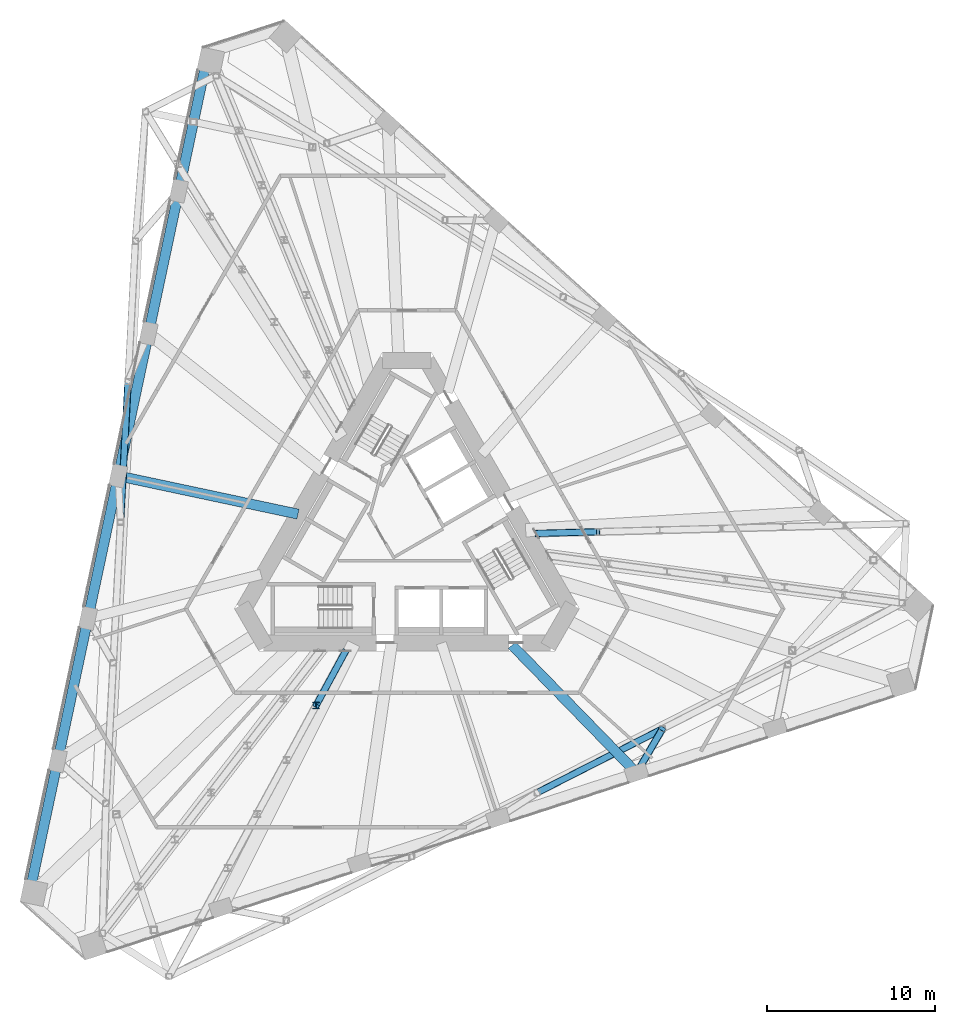
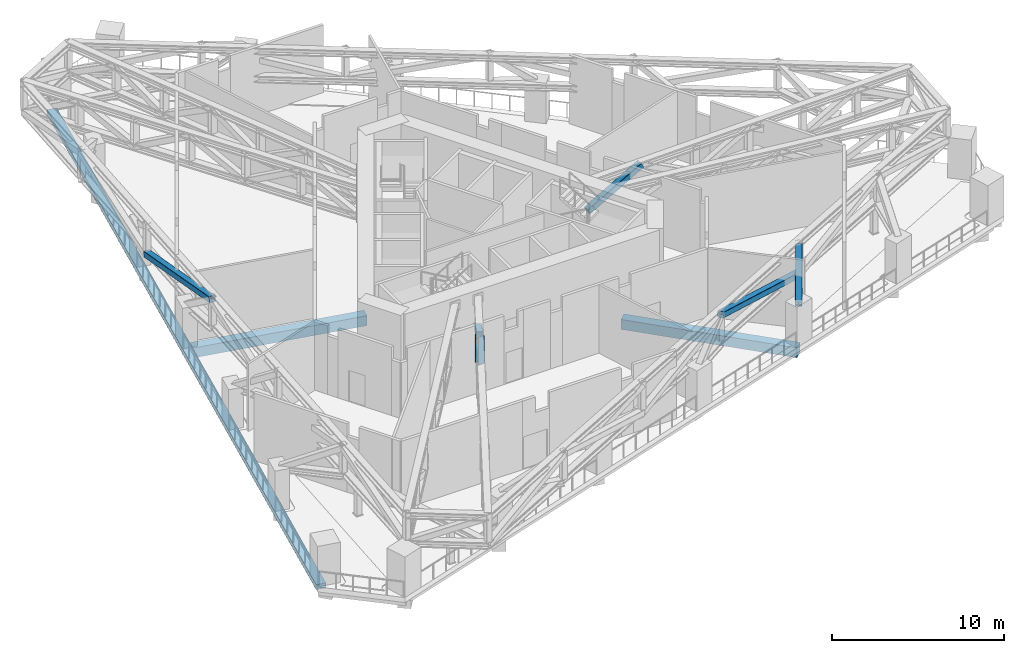
# One storey, part 9 of 24: 7 members, 3 beams.
"""IFC4 building model written with IfcOpenShell, lengths in metres."""

from ifc_helpers import new_model, si_unit, direction, frame, origin, origin_2d, place, context, subcontext, project, spatial, rectangle, hollow_rectangle, i_section, extrude, material, material_profile, profile_set, type_object, element, save


model = new_model("IFC4")

# Units and contexts
model_context = context("Model", 3, precision=1e-05, world=origin(), true_north=direction((0.0, 1.0)))
body_context = subcontext(model_context, "Body", "Model", "MODEL_VIEW")
ifc_project = project(units=[si_unit("LENGTHUNIT", "METRE"), si_unit("AREAUNIT", "SQUARE_METRE"), si_unit("VOLUMEUNIT", "CUBIC_METRE"), si_unit("PLANEANGLEUNIT", "RADIAN"), si_unit("MASSUNIT", "GRAM", prefix="KILO")], contexts=[model_context])

# Site, building, storey
site_placement = place(None, origin())
site = spatial("IfcSite", under=ifc_project, at=site_placement, CompositionType="ELEMENT")
building_placement = place(site_placement, origin())
building = spatial("IfcBuilding", under=site, at=building_placement, Name="Tramontana Tower", CompositionType="ELEMENT")
storey_placement = place(building_placement, frame((0.0, 0.0, 120.39990234375)))
storey = spatial("IfcBuildingStorey", under=building, at=storey_placement, Name="L27", CompositionType="ELEMENT", Elevation=120.39990234375)

# Members
ifc_material_1 = material(Name="Steel ASTM A500 Grade C", Category="steel")
ifc_material_profile_1 = material_profile(ifc_material_1, hollow_rectangle(XDim=0.406494140625, YDim=0.406494140625, WallThickness=0.0146484375, InnerFilletRadius=0.0146484375, OuterFilletRadius=0.029541015625, at=origin_2d()), Name="HSS16X16X5/8")
ifc_profile_set_1 = profile_set([ifc_material_profile_1], Name="Steel ASTM A500 Grade C")
member_type_1 = type_object("IfcMemberType", Name="Belt truss HSS16X16X5/8 brace", PredefinedType="BRACE", material=ifc_profile_set_1)
for number, where, z_axis, x_axis, name in (
    (1, (-16.58837890625, 9.25244140625, 2.6318359375), (-0.050933190905, -0.971646382266, 0.230887673758), (0.998628924383, -0.052347601532, 0.0), "Belt truss diagonal S0.3"),
    (2, (7.740478515625, -15.191650390625, 4.618408203125), (0.866938230564, 0.441712022884, -0.230886537561), (-0.453978204538, 0.8910127888, 0.0), "Belt truss diagonal S1.4"),
):
    element("IfcMember", number, at=place(storey_placement, frame(where, z_axis=z_axis, x_axis=x_axis)), inside=storey, type_object=member_type_1, Name=name, PredefinedType="BRACE", context=body_context, shape_type="SweptSolid", body=[
        extrude(hollow_rectangle(XDim=0.406494140625, YDim=0.406494140625, WallThickness=0.0146484375, InnerFilletRadius=0.0146484375, OuterFilletRadius=0.029541015625, at=origin_2d()), origin(), (0.0, 0.0, 1.0), 8.60400390625),
    ])
ifc_material_2 = material(Name="Steel ASTM A500 Grade C", Category="steel")
ifc_material_profile_2 = material_profile(ifc_material_2, hollow_rectangle(XDim=0.406494140625, YDim=0.406494140625, WallThickness=0.0146484375, InnerFilletRadius=0.0146484375, OuterFilletRadius=0.029541015625, at=origin_2d()), Name="HSS16X16X5/8")
ifc_profile_set_2 = profile_set([ifc_material_profile_2], Name="Steel ASTM A500 Grade C")
member_type_2 = type_object("IfcMemberType", Name="Outrigger truss HSS16X16X5/8 brace", PredefinedType="BRACE", material=ifc_profile_set_2)
member_1_placement = place(storey_placement, frame((-3.65625, -6.7900390625, 2.6318359375), z_axis=(-0.419431617993, -0.77269574634, 0.476464480749), x_axis=(0.878868590749, -0.477063937219, 0.0)))
element("IfcMember", 3, at=member_1_placement, inside=storey, type_object=member_type_2, Name="Outrigger truss diagonal 2.1", PredefinedType="BRACE", context=body_context, shape_type="SweptSolid", body=[
    extrude(hollow_rectangle(XDim=0.406494140625, YDim=0.406494140625, WallThickness=0.0146484375, InnerFilletRadius=0.0146484375, OuterFilletRadius=0.029541015625, at=origin_2d()), origin(), (0.0, 0.0, 1.0), 4.16943359375),
])
member_2_placement = place(storey_placement, frame((7.70849609375, 0.228515625, 2.6318359375), z_axis=(0.878881938595, 0.023130013042, 0.476478268662), x_axis=(-0.026308433602, 0.999653873259, 0.0)))
element("IfcMember", 4, at=member_2_placement, inside=storey, type_object=member_type_2, Name="Outrigger truss diagonal 4.1", PredefinedType="BRACE", context=body_context, shape_type="SweptSolid", body=[
    extrude(hollow_rectangle(XDim=0.406494140625, YDim=0.406494140625, WallThickness=0.0146484375, InnerFilletRadius=0.0146484375, OuterFilletRadius=0.029541015625, at=origin_2d()), origin(), (0.0, 0.0, 1.0), 4.169189453125),
])
ifc_material_3 = material(Name="Steel ASTM A992 Grade 50", Category="steel")
ifc_material_profile_3 = material_profile(ifc_material_3, i_section(OverallWidth=0.39697265625, OverallDepth=0.387451171875, WebThickness=0.020751953125, FlangeThickness=0.033447265625, FilletRadius=0.01513671875, at=origin_2d()), Name="W14X176")
ifc_profile_set_3 = profile_set([ifc_material_profile_3], Name="Steel ASTM A992 Grade 50")
member_type_3 = type_object("IfcMemberType", Name="Outrigger truss W14X176 post", PredefinedType="POST", material=ifc_profile_set_3)
member_3_placement = place(storey_placement, frame((-5.405029296875, -10.01171875, 2.6318359375), z_axis=(0.0, 0.0, 1.0), x_axis=(1.0, 0.0, 0.0)))
element("IfcMember", 5, at=member_3_placement, inside=storey, type_object=member_type_3, Name="Outrigger truss post 2.1", PredefinedType="POST", context=body_context, shape_type="SweptSolid", body=[
    extrude(i_section(OverallWidth=0.39697265625, OverallDepth=0.387451171875, WebThickness=0.020751953125, FlangeThickness=0.033447265625, FilletRadius=0.01513671875, at=origin_2d()), origin(), (0.0, 0.0, 1.0), 1.986572265625),
])

# Beams
ifc_material_4 = material(Name="Concrete 40 MPa", Category="concrete")
ifc_material_profile_4 = material_profile(ifc_material_4, rectangle(XDim=0.60009765625, YDim=0.35009765625, at=origin_2d()), Name="RC EDGE BEAM 600X350 40 MPa")
ifc_profile_set_4 = profile_set([ifc_material_profile_4], Name="Concrete 40 MPa")
beam_type_1 = type_object("IfcBeamType", Name="RC EDGE BEAM 600X350 40 MPa", PredefinedType="SPANDREL", material=ifc_profile_set_4)
beam_1_placement = place(storey_placement, frame((-11.910400390625, 28.377197265625, -0.52490234375), z_axis=(-0.207908708796, -0.978148234577, 0.0), x_axis=(0.978148234577, -0.207908708796, 0.0)))
element("IfcBeam", 6, at=beam_1_placement, inside=storey, type_object=beam_type_1, Name="Spandrel beam S0 L27", PredefinedType="SPANDREL", context=body_context, shape_type="SweptSolid", body=[
    extrude(rectangle(XDim=0.60009765625, YDim=0.35009765625, at=origin_2d()), origin(), (0.0, 0.0, 1.0), 50.561767578125),
])
ifc_material_5 = material(Name="Concrete 40 MPa", Category="concrete")
ifc_material_profile_5 = material_profile(ifc_material_5, rectangle(XDim=0.60009765625, YDim=0.699951171875, at=origin_2d()), Name="RC GIRDER 600X700 40 MPa")
ifc_profile_set_5 = profile_set([ifc_material_profile_5], Name="Concrete 40 MPa")
beam_type_2 = type_object("IfcBeamType", Name="RC GIRDER 600X700 40 MPa", PredefinedType="BEAM", material=ifc_profile_set_5)
beam_2_placement = place(storey_placement, frame((-17.16650390625, 3.64892578125, -0.699951171875), z_axis=(0.978147322784, -0.207912998466, 0.0), x_axis=(0.207912998466, 0.978147322784, 0.0)))
element("IfcBeam", 7, at=beam_2_placement, inside=storey, type_object=beam_type_2, Name="Radial girder C2F03 L27", PredefinedType="BEAM", context=body_context, shape_type="SweptSolid", body=[
    extrude(rectangle(XDim=0.60009765625, YDim=0.699951171875, at=origin_2d()), origin(), (0.0, 0.0, 1.0), 10.927490234375),
])
beam_3_placement = place(storey_placement, frame((13.65966796875, -14.014892578125, -0.699951171875), z_axis=(-0.697979323515, 0.716117912041, 0.0), x_axis=(-0.716117912041, -0.697979323515, 0.0)))
element("IfcBeam", 8, at=beam_3_placement, inside=storey, type_object=beam_type_2, Name="Radial girder C2F09 L27", PredefinedType="BEAM", context=body_context, shape_type="SweptSolid", body=[
    extrude(rectangle(XDim=0.60009765625, YDim=0.699951171875, at=origin_2d()), origin(), (0.0, 0.0, 1.0), 10.61962890625),
])

# Members
ifc_material_6 = material(Name="Steel ASTM A500 Grade C", Category="steel")
ifc_material_profile_6 = material_profile(ifc_material_6, hollow_rectangle(XDim=0.406494140625, YDim=0.406494140625, WallThickness=0.0146484375, InnerFilletRadius=0.0146484375, OuterFilletRadius=0.029541015625, at=origin_2d()), Name="HSS16X16X5/8")
ifc_profile_set_6 = profile_set([ifc_material_profile_6], Name="Steel ASTM A500 Grade C")
member_type_4 = type_object("IfcMemberType", Name="Transfer truss HSS16X16X5/8 brace", PredefinedType="BRACE", material=ifc_profile_set_6)
member_4_placement = place(storey_placement, frame((13.65966796875, -14.014892578125, 2.6318359375), z_axis=(0.423843151662, 0.722105635845, 0.546736164406), x_axis=(-0.862416545392, 0.50619927127, 0.0)))
element("IfcMember", 9, at=member_4_placement, inside=storey, type_object=member_type_4, Name="Transfer truss strut C3F09 diagonal", PredefinedType="BRACE", context=body_context, shape_type="SweptSolid", body=[
    extrude(hollow_rectangle(XDim=0.406494140625, YDim=0.406494140625, WallThickness=0.0146484375, InnerFilletRadius=0.0146484375, OuterFilletRadius=0.029541015625, at=origin_2d()), origin(), (0.0, 0.0, 1.0), 3.633544921875),
])
ifc_material_7 = material(Name="Steel ASTM A992 Grade 50", Category="steel")
ifc_material_profile_7 = material_profile(ifc_material_7, i_section(OverallWidth=0.42236328125, OverallDepth=0.463623046875, WebThickness=0.04443359375, FlangeThickness=0.072998046875, FilletRadius=0.014892578125, at=origin_2d()), Name="W14X398")
ifc_profile_set_7 = profile_set([ifc_material_profile_7], Name="Steel ASTM A992 Grade 50")
member_type_5 = type_object("IfcMemberType", Name="Transfer truss W14X398 strut", PredefinedType="STRUT", material=ifc_profile_set_7)
member_5_placement = place(storey_placement, frame((13.65966796875, -14.014892578125, 2.6318359375), z_axis=(0.50619927127, 0.862416545392, 0.0), x_axis=(-0.862416545392, 0.50619927127, 0.0)))
element("IfcMember", 10, at=member_5_placement, inside=storey, type_object=member_type_5, Name="Transfer truss strut C3F09 bottom", PredefinedType="STRUT", context=body_context, shape_type="SweptSolid", body=[
    extrude(i_section(OverallWidth=0.42236328125, OverallDepth=0.463623046875, WebThickness=0.04443359375, FlangeThickness=0.072998046875, FilletRadius=0.014892578125, at=origin_2d()), origin(), (0.0, 0.0, 1.0), 3.042236328125),
])

save(model, "model.ifc")
